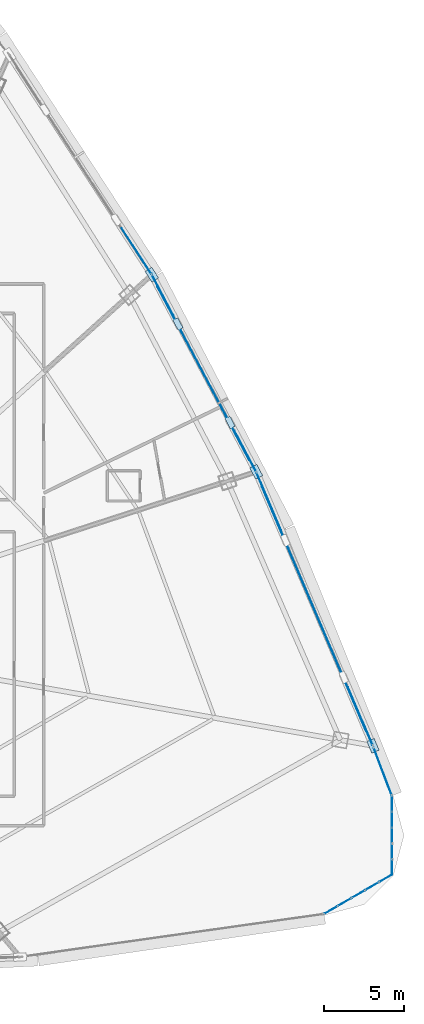
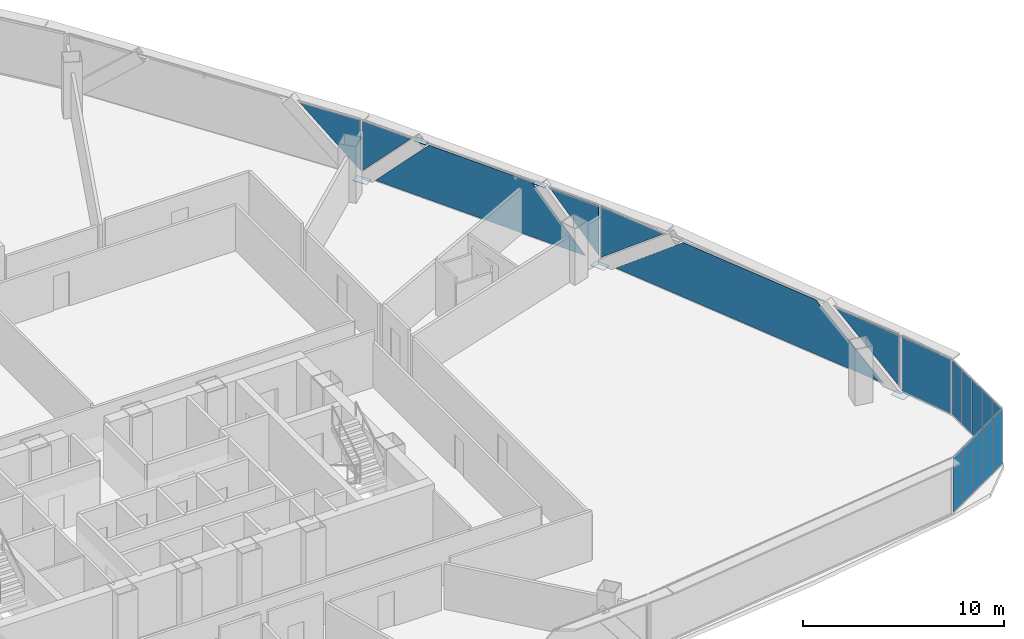
# One storey, part 33 of 42: 23 plates, 6 elements without a shape of their own.
"""IFC4 building model written with IfcOpenShell, lengths in metres."""

from ifc_helpers import new_model, si_unit, direction, frame, origin, origin_2d, place, context, subcontext, project, spatial, polyline, rectangle, outline, extrude, source, transform, mapped, material, layer, layer_set, type_object, element, aggregate, save


model = new_model("IFC4")

# Units and contexts
model_context = context("Model", 3, precision=1e-05, world=origin(), true_north=direction((0.0, 1.0)))
body_context = subcontext(model_context, "Body", "Model", "MODEL_VIEW")
ifc_project = project(units=[si_unit("LENGTHUNIT", "METRE"), si_unit("AREAUNIT", "SQUARE_METRE"), si_unit("VOLUMEUNIT", "CUBIC_METRE"), si_unit("PLANEANGLEUNIT", "RADIAN"), si_unit("MASSUNIT", "GRAM", prefix="KILO"), si_unit("THERMODYNAMICTEMPERATUREUNIT", "KELVIN"), si_unit("POWERUNIT", "WATT")], contexts=[model_context])

# Site, building, storey
site_placement = place(None, origin())
site = spatial("IfcSite", under=ifc_project, at=site_placement, CompositionType="ELEMENT")
building_placement = place(site_placement, origin())
building = spatial("IfcBuilding", under=site, at=building_placement, Name="Yunzhuo Pagoda Commons", CompositionType="ELEMENT")
storey_placement = place(building_placement, frame((0.0, 0.0, 129.830078125)))
storey = spatial("IfcBuildingStorey", under=building, at=storey_placement, Name="L32", CompositionType="ELEMENT", Elevation=129.830078125)

# Curtain wall, plates
ifc_material_1 = material(Name="Anodized aluminium 6063-T6", Category="aluminium")
ifc_layer_1 = layer(ifc_material_1, 0.14990234375)
ifc_layer_set_1 = layer_set([ifc_layer_1], Name="Anodized aluminium 6063-T6")
curtain_wall_type_1 = type_object("IfcCurtainWallType", Name="CW-MID Mid-Zone Ribbon Curtain Wall", PredefinedType="NOTDEFINED", material=ifc_layer_set_1)
curtain_wall_1_placement = place(storey_placement, origin())
curtain_wall_1 = element("IfcCurtainWall", 1, at=curtain_wall_1_placement, inside=storey, type_object=curtain_wall_type_1, Name="L32 curtain wall CW-L32-F2B2", PredefinedType="NOTDEFINED")
ifc_material_2 = material(Name="Tempered low-e double glazing", Category="glass")
ifc_layer_2 = layer(ifc_material_2, 0.028076171875)
ifc_layer_set_2 = layer_set([ifc_layer_2], Name="Tempered low-e double glazing")
plate_type_1 = type_object("IfcPlateType", Name="CW-MID-P Low-E Double Glazing 28", PredefinedType="CURTAIN_PANEL", material=ifc_layer_set_2)
plate_1_placement = place(storey_placement, frame((86.241455078125, 28.671142578125, 1.81787109375), z_axis=(0.919928137274, 0.392087008522, 0.0), x_axis=(-0.392087008522, 0.919928137274, 0.0)))
plate_1 = element("IfcPlate", 2, at=plate_1_placement, type_object=plate_type_1, Name="CW panel 1.1 lite 1", PredefinedType="CURTAIN_PANEL", context=body_context, shape_type="SweptSolid", body=[
    extrude(outline(polyline([(-1.964111328125, -1.547119140625), (1.964111328125, 1.547119140625), (-1.964111328125, 1.547119140625), (-1.964111328125, -1.547119140625)])), origin(), (0.0, 0.0, 1.0), 0.028076171875),
])
plate_2_placement = place(storey_placement, frame((83.34375, 35.393310546875, 1.7099609375), z_axis=(0.919928137274, 0.392087008522, 0.0), x_axis=(-0.392087008522, 0.919928137274, 0.0)))
plate_2 = element("IfcPlate", 3, at=plate_2_placement, type_object=plate_type_1, Name="CW panel 1.1 lite 2", PredefinedType="CURTAIN_PANEL", context=body_context, shape_type="SweptSolid", body=[
    extrude(outline(polyline([(-8.330078125, -1.655029296875), (8.330078125, -1.655029296875), (4.127685546875, 1.655029296875), (-4.127685546875, 1.655029296875), (-8.330078125, -1.655029296875)])), origin(), (0.0, 0.0, 1.0), 0.028076171875),
])
plate_3_placement = place(storey_placement, frame((80.501220703125, 42.138916015625, 1.81787109375), z_axis=(0.919928137274, 0.392087008522, 0.0), x_axis=(-0.392087008522, 0.919928137274, 0.0)))
plate_3 = element("IfcPlate", 4, at=plate_3_placement, type_object=plate_type_1, Name="CW panel 1.1 lite 3", PredefinedType="CURTAIN_PANEL", context=body_context, shape_type="SweptSolid", body=[
    extrude(outline(polyline([(-1.964111328125, 1.547119140625), (1.964111328125, -1.547119140625), (1.964111328125, 1.547119140625), (-1.964111328125, 1.547119140625)])), origin(), (0.0, 0.0, 1.0), 0.028076171875),
])
aggregate(curtain_wall_1, [plate_1, plate_2, plate_3])

curtain_wall_2_placement = place(storey_placement, origin())
curtain_wall_2 = element("IfcCurtainWall", 5, at=curtain_wall_2_placement, inside=storey, type_object=curtain_wall_type_1, Name="L32 curtain wall CW-L32-F2B3", PredefinedType="NOTDEFINED")
plate_4_placement = place(storey_placement, frame((79.010498046875, 45.31689453125, 1.85986328125), z_axis=(0.883694161172, 0.468064770635, 0.0), x_axis=(-0.468064770635, 0.883694161172, 0.0)))
plate_4 = element("IfcPlate", 6, at=plate_4_placement, type_object=plate_type_1, Name="CW panel 1.1 lite 1", PredefinedType="CURTAIN_PANEL", context=body_context, shape_type="SweptSolid", body=[
    extrude(outline(polyline([(-1.43017578125, -1.505126953125), (1.43017578125, 1.505126953125), (-1.43017578125, 1.505126953125), (-1.43017578125, -1.505126953125)])), origin(), (0.0, 0.0, 1.0), 0.028076171875),
])
plate_5_placement = place(storey_placement, frame((76.408203125, 50.166015625, 1.7099609375), z_axis=(0.883694161172, 0.468064770635, 0.0), x_axis=(-0.468064770635, 0.883694161172, 0.0)))
plate_5 = element("IfcPlate", 7, at=plate_5_placement, type_object=plate_type_1, Name="CW panel 1.1 lite 2", PredefinedType="CURTAIN_PANEL", context=body_context, shape_type="SweptSolid", body=[
    extrude(outline(polyline([(-6.169921875, -1.655029296875), (6.169921875, -1.655029296875), (3.024658203125, 1.655029296875), (-3.024658203125, 1.655029296875), (-6.169921875, -1.655029296875)])), origin(), (0.0, 0.0, 1.0), 0.028076171875),
])
plate_6_placement = place(storey_placement, frame((73.85888671875, 55.043212890625, 1.85986328125), z_axis=(0.883694161172, 0.468064770635, 0.0), x_axis=(-0.468064770635, 0.883694161172, 0.0)))
plate_6 = element("IfcPlate", 8, at=plate_6_placement, type_object=plate_type_1, Name="CW panel 1.1 lite 3", PredefinedType="CURTAIN_PANEL", context=body_context, shape_type="SweptSolid", body=[
    extrude(outline(polyline([(-1.43017578125, 1.505126953125), (1.43017578125, -1.505126953125), (1.43017578125, 1.505126953125), (-1.43017578125, 1.505126953125)])), origin(), (0.0, 0.0, 1.0), 0.028076171875),
])
aggregate(curtain_wall_2, [plate_4, plate_5, plate_6])

# Curtain wall, plate
curtain_wall_3_placement = place(storey_placement, origin())
curtain_wall_3 = element("IfcCurtainWall", 9, at=curtain_wall_3_placement, inside=storey, type_object=curtain_wall_type_1, Name="L32 curtain wall CW-L32-F2B4", PredefinedType="NOTDEFINED")
plate_7_placement = place(storey_placement, frame((72.199951171875, 57.843994140625, 1.834228515625), z_axis=(0.839249165596, 0.543747034977, 0.0), x_axis=(-0.543747034977, 0.839249165596, 0.0)))
plate_7 = element("IfcPlate", 10, at=plate_7_placement, type_object=plate_type_1, Name="CW panel 1.1 lite 1", PredefinedType="CURTAIN_PANEL", context=body_context, shape_type="SweptSolid", body=[
    extrude(outline(polyline([(-1.70947265625, -1.530517578125), (1.70947265625, 1.530517578125), (-1.70947265625, 1.530517578125), (-1.70947265625, -1.530517578125)])), origin(), (0.0, 0.0, 1.0), 0.028076171875),
])
aggregate(curtain_wall_3, [plate_7])

# Plates
ifc_material_3 = material(Name="Structural steel Q355B", Category="steel")
ifc_layer_3 = layer(ifc_material_3, 0.028076171875)
ifc_layer_set_3 = layer_set([ifc_layer_3], Name="Structural steel Q355B")
plate_type_2 = type_object("IfcPlateType", Name="SP-ND1 Lattice Node Cap Plate 800x500x28", PredefinedType="USERDEFINED", material=ifc_layer_set_3)
shared_shape_1 = source(origin(), body_context, "Body", "SweptSolid", [
    extrude(rectangle(XDim=0.800048828125, YDim=0.5, at=origin_2d()), origin(), (0.0, 0.0, 1.0), 0.028076171875),
])
for number, where, z_axis, x_axis, name in (
    (11, (87.0478515625, 26.814697265625, -0.27392578125), (0.0, 0.0, 1.0), (-0.392080238691, 0.919931022647, 0.0), "L32 diamond node plate F2.1A"),
    (12, (79.720458984375, 44.006591796875, -0.27392578125), (0.0, 0.0, 1.0), (-0.468068630068, 0.883692116943, 0.0), "L32 diamond node plate F2.2A"),
    (13, (73.173828125, 56.36669921875, -0.27392578125), (0.0, 0.0, 1.0), (-0.543745835187, 0.839249942935, 0.0), "L32 diamond node plate F2.3A"),
):
    element("IfcPlate", number, at=place(storey_placement, frame(where, z_axis=z_axis, x_axis=x_axis)), inside=storey, type_object=plate_type_2, Name=name, ObjectType="STIFFENER_PLATE", PredefinedType="USERDEFINED", context=body_context, shape_type="MappedRepresentation", body=[
        mapped(shared_shape_1, transform((0.0, 0.0, 0.0), scale=1.0)),
    ])
shared_shape_2 = source(origin(), body_context, "Body", "SweptSolid", [
    extrude(rectangle(XDim=0.699951171875, YDim=0.35009765625, at=origin_2d()), origin(), (0.0, 0.0, 1.0), 0.035888671875),
])
for number, where, z_axis, x_axis, name in (
    (14, (78.083740234375, 47.0966796875, 3.3818359375), (0.0, 0.0, 1.0), (-0.468068630068, 0.883692116943, 0.0), "L32 setback lattice tie plate F2.2L"),
    (15, (74.810546875, 53.276611328125, 3.3818359375), (0.0, 0.0, 1.0), (-0.468068630068, 0.883692116943, 0.0), "L32 setback lattice tie plate F2.2R"),
):
    element("IfcPlate", number, at=place(storey_placement, frame(where, z_axis=z_axis, x_axis=x_axis)), inside=storey, type_object=plate_type_2, Name=name, ObjectType="STIFFENER_PLATE", PredefinedType="USERDEFINED", context=body_context, shape_type="MappedRepresentation", body=[
        mapped(shared_shape_2, transform((0.0, 0.0, 0.0), scale=1.0)),
    ])

# Curtain wall, plate
curtain_wall_4_placement = place(storey_placement, origin())
curtain_wall_4 = element("IfcCurtainWall", 16, at=curtain_wall_4_placement, inside=storey, type_object=curtain_wall_type_1, Name="L32 curtain wall CW-L32-F2B1", PredefinedType="NOTDEFINED")
shared_shape_3 = source(origin(), body_context, "Body", "SweptSolid", [
    extrude(rectangle(XDim=3.15576171875, YDim=0.028076171875, at=origin_2d()), origin(), (0.0, 0.0, 1.0), 3.31005859375),
])
plate_8_placement = place(storey_placement, frame((87.65380859375, 25.212646484375, 0.054931640625), z_axis=(0.0, 0.0, 1.0), x_axis=(-0.353798274003, 0.935321752827, 0.0)))
plate_8 = element("IfcPlate", 17, at=plate_8_placement, type_object=plate_type_1, Name="CW panel 1.1", PredefinedType="CURTAIN_PANEL", context=body_context, shape_type="MappedRepresentation", body=[
    mapped(shared_shape_3, transform((0.0, 0.0, 0.0), scale=1.0)),
])
aggregate(curtain_wall_4, [plate_8])

# Curtain wall, plates
ifc_layer_4 = layer(ifc_material_1, 0.1298828125)
ifc_layer_set_4 = layer_set([ifc_layer_4], Name="Anodized aluminium 6063-T6")
curtain_wall_type_2 = type_object("IfcCurtainWallType", Name="CW-VTX Rounded Corner Curtain Wall", PredefinedType="NOTDEFINED", material=ifc_layer_set_4)
curtain_wall_5_placement = place(storey_placement, origin())
curtain_wall_5 = element("IfcCurtainWall", 18, at=curtain_wall_5_placement, inside=storey, type_object=curtain_wall_type_2, Name="L32 curtain wall CW-L32-VTX2S1", PredefinedType="NOTDEFINED")
ifc_layer_5 = layer(ifc_material_2, 0.02587890625)
ifc_layer_set_5 = layer_set([ifc_layer_5], Name="Tempered low-e double glazing")
plate_type_3 = type_object("IfcPlateType", Name="CW-VTX-P Low-E Double Glazing 26", PredefinedType="CURTAIN_PANEL", material=ifc_layer_set_5)
shared_shape_4 = source(origin(), body_context, "Body", "SweptSolid", [
    extrude(rectangle(XDim=0.915771484375, YDim=0.028076171875, at=origin_2d()), origin(), (0.0, 0.0, 1.0), 3.31005859375),
])
plate_9_placement = place(storey_placement, frame((84.415771484375, 16.515869140625, 0.054931640625), z_axis=(0.0, 0.0, 1.0), x_axis=(0.865425370946, 0.501037850191, 0.0)))
plate_9 = element("IfcPlate", 19, at=plate_9_placement, type_object=plate_type_3, Name="CW panel 1.1", PredefinedType="CURTAIN_PANEL", context=body_context, shape_type="MappedRepresentation", body=[
    mapped(shared_shape_4, transform((0.0, 0.0, 0.0), scale=1.0)),
])
plate_10_placement = place(storey_placement, frame((87.847412109375, 18.50244140625, 0.054931640625), z_axis=(0.0, 0.0, 1.0), x_axis=(0.865425370946, 0.501037850191, 0.0)))
plate_10 = element("IfcPlate", 20, at=plate_10_placement, type_object=plate_type_3, Name="CW panel 5.1", PredefinedType="CURTAIN_PANEL", context=body_context, shape_type="MappedRepresentation", body=[
    mapped(shared_shape_4, transform((0.0, 0.0, 0.0), scale=1.0)),
])

curtain_wall_6_placement = place(storey_placement, origin())
curtain_wall_6 = element("IfcCurtainWall", 21, at=curtain_wall_6_placement, inside=storey, type_object=curtain_wall_type_2, Name="L32 curtain wall CW-L32-VTX2S2", PredefinedType="NOTDEFINED")
plate_11_placement = place(storey_placement, frame((88.24951171875, 19.20263671875, 0.054931640625), z_axis=(0.0, 0.0, 1.0), x_axis=(-0.003586576275, 0.999993568215, 0.0)))
plate_11 = element("IfcPlate", 22, at=plate_11_placement, type_object=plate_type_3, Name="CW panel 1.1", PredefinedType="CURTAIN_PANEL", context=body_context, shape_type="MappedRepresentation", body=[
    mapped(shared_shape_4, transform((0.0, 0.0, 0.0), scale=1.0)),
])
plate_12_placement = place(storey_placement, frame((88.2353515625, 23.16796875, 0.054931640625), z_axis=(0.0, 0.0, 1.0), x_axis=(-0.003586576275, 0.999993568215, 0.0)))
plate_12 = element("IfcPlate", 23, at=plate_12_placement, type_object=plate_type_3, Name="CW panel 5.1", PredefinedType="CURTAIN_PANEL", context=body_context, shape_type="MappedRepresentation", body=[
    mapped(shared_shape_4, transform((0.0, 0.0, 0.0), scale=1.0)),
])

# Plate
shared_shape_5 = source(origin(), body_context, "Body", "SweptSolid", [
    extrude(rectangle(XDim=0.943115234375, YDim=0.028076171875, at=origin_2d()), origin(), (0.0, 0.0, 1.0), 3.31005859375),
])
plate_13_placement = place(storey_placement, frame((85.267822265625, 17.009033203125, 0.054931640625), z_axis=(0.0, 0.0, 1.0), x_axis=(0.865425370946, 0.501037850191, 0.0)))
plate_13 = element("IfcPlate", 24, at=plate_13_placement, type_object=plate_type_3, Name="CW panel 2.1", PredefinedType="CURTAIN_PANEL", context=body_context, shape_type="MappedRepresentation", body=[
    mapped(shared_shape_5, transform((0.0, 0.0, 0.0), scale=1.0)),
])

plate_14_placement = place(storey_placement, frame((86.131591796875, 17.509033203125, 0.054931640625), z_axis=(0.0, 0.0, 1.0), x_axis=(0.865425370946, 0.501037850191, 0.0)))
plate_14 = element("IfcPlate", 25, at=plate_14_placement, type_object=plate_type_3, Name="CW panel 3.1", PredefinedType="CURTAIN_PANEL", context=body_context, shape_type="MappedRepresentation", body=[
    mapped(shared_shape_5, transform((0.0, 0.0, 0.0), scale=1.0)),
])

plate_15_placement = place(storey_placement, frame((86.995361328125, 18.00927734375, 0.054931640625), z_axis=(0.0, 0.0, 1.0), x_axis=(0.865425370946, 0.501037850191, 0.0)))
plate_15 = element("IfcPlate", 26, at=plate_15_placement, type_object=plate_type_3, Name="CW panel 4.1", PredefinedType="CURTAIN_PANEL", context=body_context, shape_type="MappedRepresentation", body=[
    mapped(shared_shape_5, transform((0.0, 0.0, 0.0), scale=1.0)),
])

aggregate(curtain_wall_5, [plate_9, plate_13, plate_14, plate_15, plate_10])

plate_16_placement = place(storey_placement, frame((88.245849609375, 20.187255859375, 0.054931640625), z_axis=(0.0, 0.0, 1.0), x_axis=(-0.003586576275, 0.999993568215, 0.0)))
plate_16 = element("IfcPlate", 27, at=plate_16_placement, type_object=plate_type_3, Name="CW panel 2.1", PredefinedType="CURTAIN_PANEL", context=body_context, shape_type="MappedRepresentation", body=[
    mapped(shared_shape_5, transform((0.0, 0.0, 0.0), scale=1.0)),
])

plate_17_placement = place(storey_placement, frame((88.242431640625, 21.185302734375, 0.054931640625), z_axis=(0.0, 0.0, 1.0), x_axis=(-0.003586576275, 0.999993568215, 0.0)))
plate_17 = element("IfcPlate", 28, at=plate_17_placement, type_object=plate_type_3, Name="CW panel 3.1", PredefinedType="CURTAIN_PANEL", context=body_context, shape_type="MappedRepresentation", body=[
    mapped(shared_shape_5, transform((0.0, 0.0, 0.0), scale=1.0)),
])

plate_18_placement = place(storey_placement, frame((88.23876953125, 22.183349609375, 0.054931640625), z_axis=(0.0, 0.0, 1.0), x_axis=(-0.003586576275, 0.999993568215, 0.0)))
plate_18 = element("IfcPlate", 29, at=plate_18_placement, type_object=plate_type_3, Name="CW panel 4.1", PredefinedType="CURTAIN_PANEL", context=body_context, shape_type="MappedRepresentation", body=[
    mapped(shared_shape_5, transform((0.0, 0.0, 0.0), scale=1.0)),
])

aggregate(curtain_wall_6, [plate_11, plate_16, plate_17, plate_18, plate_12])

save(model, "model.ifc")
